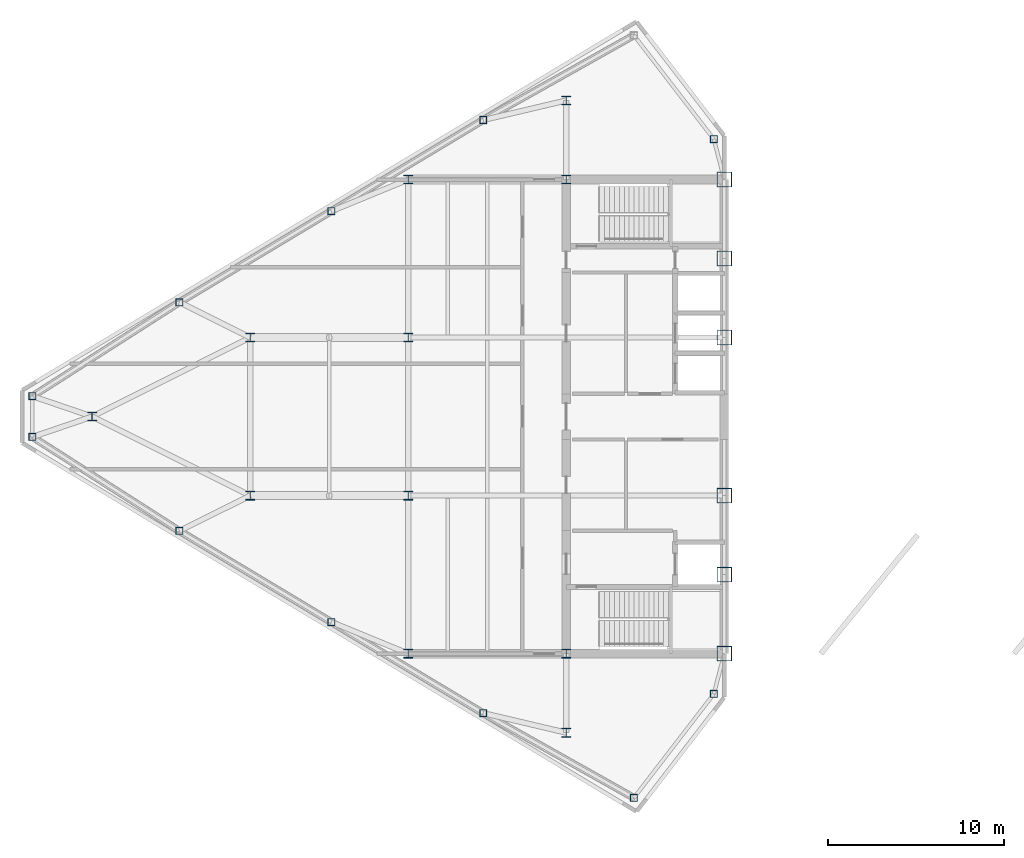
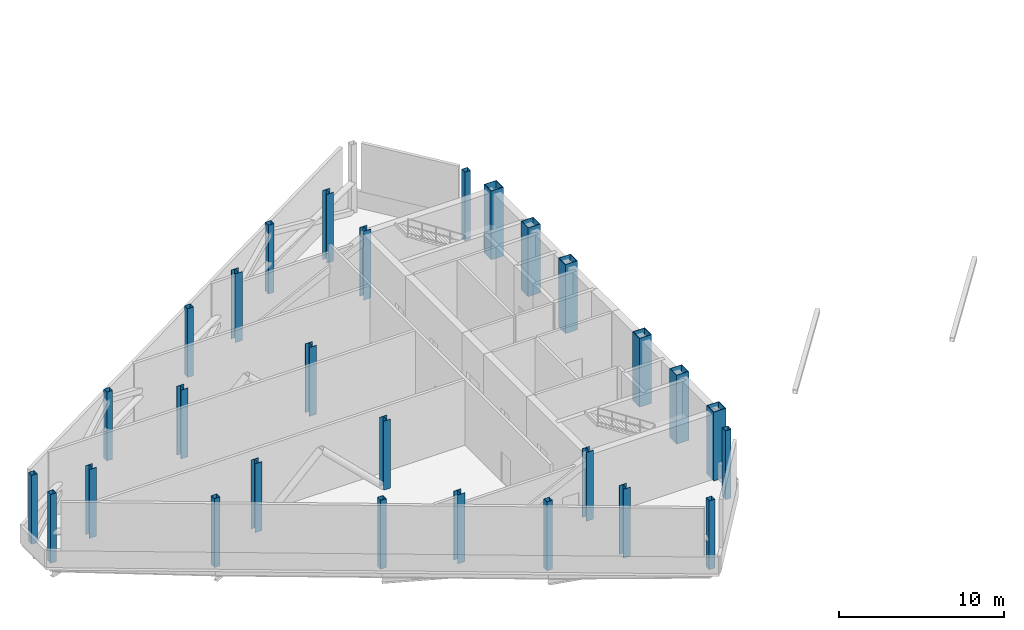
# One storey, part 1 of 13: 28 columns.
"""IFC4 building model written with IfcOpenShell, lengths in metres."""

from ifc_helpers import new_model, si_unit, direction, frame, origin, origin_2d, place, context, subcontext, project, spatial, hollow_rectangle, i_section, extrude, source, transform, mapped, material, material_profile, profile_set, type_object, type_shapes, element, save


model = new_model("IFC4")

# Units and contexts
model_context = context("Model", 3, precision=1e-05, world=origin(), true_north=direction((0.0, 1.0)))
body_context = subcontext(model_context, "Body", "Model", "MODEL_VIEW")
ifc_project = project(units=[si_unit("LENGTHUNIT", "METRE"), si_unit("AREAUNIT", "SQUARE_METRE"), si_unit("VOLUMEUNIT", "CUBIC_METRE"), si_unit("PLANEANGLEUNIT", "RADIAN"), si_unit("MASSUNIT", "GRAM", prefix="KILO")], contexts=[model_context])

# Site, building, storey
site_placement = place(None, origin())
site = spatial("IfcSite", under=ifc_project, at=site_placement, CompositionType="ELEMENT")
building_placement = place(site_placement, origin())
building = spatial("IfcBuilding", under=site, at=building_placement, Name="Seokmaru Belvedere", CompositionType="ELEMENT")
storey_placement = place(building_placement, frame((0.0, 0.0, 224.699951171875)))
storey = spatial("IfcBuildingStorey", under=building, at=storey_placement, Name="L60", CompositionType="ELEMENT", Elevation=224.699951171875)

# Columns
ifc_material_1 = material(Name="Steel HSA650 (650 MPa)", Category="steel")
ifc_material_profile_1 = material_profile(ifc_material_1, hollow_rectangle(XDim=0.85009765625, YDim=0.85009765625, WallThickness=0.035888671875, at=origin_2d()), Name="BOX-850x850x36")
ifc_profile_set_1 = profile_set([ifc_material_profile_1], Name="Steel HSA650 (650 MPa)")
column_type_1 = type_object("IfcColumnType", Name="Portal Spine Column BOX-850", PredefinedType="COLUMN", material=ifc_profile_set_1)
shared_shape_1 = source(origin(), body_context, "Body", "SweptSolid", [
    extrude(hollow_rectangle(XDim=0.85009765625, YDim=0.85009765625, WallThickness=0.035888671875, at=origin_2d()), origin(), (0.0, 0.0, 1.0), 5.10009765625),
])
type_shapes(column_type_1, [shared_shape_1])
for number, where, z_axis, x_axis, name in (
    (1, (-27.5, -13.5, 0.0), (0.0, 0.0, 1.0), (1.0, 0.0, 0.0), "L60 Column WS1"),
    (2, (-27.5, -9.0, 0.0), (0.0, 0.0, 1.0), (1.0, 0.0, 0.0), "L60 Column WS2"),
    (3, (-27.5, -4.5, 0.0), (0.0, 0.0, 1.0), (1.0, 0.0, 0.0), "L60 Column WS3"),
    (4, (-27.5, 4.5, 0.0), (0.0, 0.0, 1.0), (1.0, 0.0, 0.0), "L60 Column WS4"),
    (5, (-27.5, 9.0, 0.0), (0.0, 0.0, 1.0), (1.0, 0.0, 0.0), "L60 Column WS5"),
    (6, (-27.5, 13.5, 0.0), (0.0, 0.0, 1.0), (1.0, 0.0, 0.0), "L60 Column WS6"),
):
    element("IfcColumn", number, at=place(storey_placement, frame(where, z_axis=z_axis, x_axis=x_axis)), inside=storey, type_object=column_type_1, Name=name, PredefinedType="COLUMN", context=body_context, shape_type="MappedRepresentation", body=[
        mapped(shared_shape_1, transform((0.0, 0.0, 0.0), scale=1.0)),
    ])
ifc_material_2 = material(Name="Steel SM355 (355 MPa)", Category="steel")
ifc_material_profile_2 = material_profile(ifc_material_2, i_section(OverallWidth=0.5, OverallDepth=0.5, WebThickness=0.02001953125, FlangeThickness=0.031982421875, at=origin_2d()), Name="H-500x500x20x32")
ifc_profile_set_2 = profile_set([ifc_material_profile_2], Name="Steel SM355 (355 MPa)")
column_type_2 = type_object("IfcColumnType", Name="High-Rise Interior Column H-500", PredefinedType="COLUMN", material=ifc_profile_set_2)
shared_shape_2 = source(origin(), body_context, "Body", "SweptSolid", [
    extrude(i_section(OverallWidth=0.5, OverallDepth=0.5, WebThickness=0.02001953125, FlangeThickness=0.031982421875, at=origin_2d()), origin(), (0.0, 0.0, 1.0), 5.10009765625),
])
type_shapes(column_type_2, [shared_shape_2])
for number, where, z_axis, x_axis, name in (
    (7, (-36.5, -18.0, 0.0), (0.0, 0.0, 1.0), (1.0, 0.0, 0.0), "L60 Column WC1"),
    (8, (-36.5, -13.5, 0.0), (0.0, 0.0, 1.0), (1.0, 0.0, 0.0), "L60 Column WC2"),
    (9, (-36.5, 13.5, 0.0), (0.0, 0.0, 1.0), (1.0, 0.0, 0.0), "L60 Column WC3"),
    (10, (-36.5, 18.0, 0.0), (0.0, 0.0, 1.0), (1.0, 0.0, 0.0), "L60 Column WC4"),
    (11, (-45.5, -13.5, 0.0), (0.0, 0.0, 1.0), (1.0, 0.0, 0.0), "L60 Column WG5_1"),
    (12, (-45.5, -4.5, 0.0), (0.0, 0.0, 1.0), (1.0, 0.0, 0.0), "L60 Column WG5_2"),
    (13, (-45.5, 4.5, 0.0), (0.0, 0.0, 1.0), (1.0, 0.0, 0.0), "L60 Column WG5_3"),
    (14, (-45.5, 13.5, 0.0), (0.0, 0.0, 1.0), (1.0, 0.0, 0.0), "L60 Column WG5_4"),
    (15, (-54.5, -4.5, 0.0), (0.0, 0.0, 1.0), (1.0, 0.0, 0.0), "L60 Column WG4P_1"),
    (16, (-54.5, 4.5, 0.0), (0.0, 0.0, 1.0), (1.0, 0.0, 0.0), "L60 Column WG4P_2"),
    (17, (-63.5, 0.0, 0.0), (0.0, 0.0, 1.0), (1.0, 0.0, 0.0), "L60 Column WG3P_1"),
):
    element("IfcColumn", number, at=place(storey_placement, frame(where, z_axis=z_axis, x_axis=x_axis)), inside=storey, type_object=column_type_2, Name=name, PredefinedType="COLUMN", context=body_context, shape_type="MappedRepresentation", body=[
        mapped(shared_shape_2, transform((0.0, 0.0, 0.0), scale=1.0)),
    ])
ifc_material_profile_3 = material_profile(ifc_material_2, hollow_rectangle(XDim=0.39990234375, YDim=0.39990234375, WallThickness=0.01611328125, at=origin_2d()), Name="HSS-400x400x16")
ifc_profile_set_3 = profile_set([ifc_material_profile_3], Name="Steel SM355 (355 MPa)")
column_type_3 = type_object("IfcColumnType", Name="Perimeter Facet Column HSS-400", PredefinedType="COLUMN", material=ifc_profile_set_3)
shared_shape_3 = source(origin(), body_context, "Body", "SweptSolid", [
    extrude(hollow_rectangle(XDim=0.39990234375, YDim=0.39990234375, WallThickness=0.01611328125, at=origin_2d()), origin(), (0.0, 0.0, 1.0), 5.10009765625),
])
type_shapes(column_type_3, [shared_shape_3])
for number, where, z_axis, x_axis, name in (
    (18, (-28.10009765625, -15.7958984375, 0.0), (0.0, 0.0, 1.0), (1.0, 0.0, 0.0), "L60 Column WF1"),
    (19, (-28.10009765625, 15.7958984375, 0.0), (0.0, 0.0, 1.0), (1.0, 0.0, 0.0), "L60 Column WF2"),
    (20, (-66.89990234375, 1.160400390625, 0.0), (0.0, 0.0, 1.0), (1.0, 0.0, 0.0), "L60 Column WF4"),
    (21, (-66.89990234375, -1.160400390625, 0.0), (0.0, 0.0, 1.0), (1.0, 0.0, 0.0), "L60 Column WF5"),
    (22, (-32.649658203125, -21.71044921875, 0.0), (0.0, 0.0, 1.0), (1.0, 0.0, 0.0), "L60 Column WF6"),
    (23, (-41.229736328125, -16.888916015625, 0.0), (0.0, 0.0, 1.0), (1.0, 0.0, 0.0), "L60 Column WFLK_S1"),
    (24, (-49.8798828125, -11.698974609375, 0.0), (0.0, 0.0, 1.0), (1.0, 0.0, 0.0), "L60 Column WFLK_S2"),
    (25, (-58.530029296875, -6.5087890625, 0.0), (0.0, 0.0, 1.0), (1.0, 0.0, 0.0), "L60 Column WFLK_S3"),
    (26, (-41.229736328125, 16.888916015625, 0.0), (0.0, 0.0, 1.0), (1.0, 0.0, 0.0), "L60 Column WFLK_N1"),
    (27, (-49.8798828125, 11.698974609375, 0.0), (0.0, 0.0, 1.0), (1.0, 0.0, 0.0), "L60 Column WFLK_N2"),
    (28, (-58.530029296875, 6.5087890625, 0.0), (0.0, 0.0, 1.0), (1.0, 0.0, 0.0), "L60 Column WFLK_N3"),
):
    element("IfcColumn", number, at=place(storey_placement, frame(where, z_axis=z_axis, x_axis=x_axis)), inside=storey, type_object=column_type_3, Name=name, PredefinedType="COLUMN", context=body_context, shape_type="MappedRepresentation", body=[
        mapped(shared_shape_3, transform((0.0, 0.0, 0.0), scale=1.0)),
    ])

save(model, "model.ifc")
